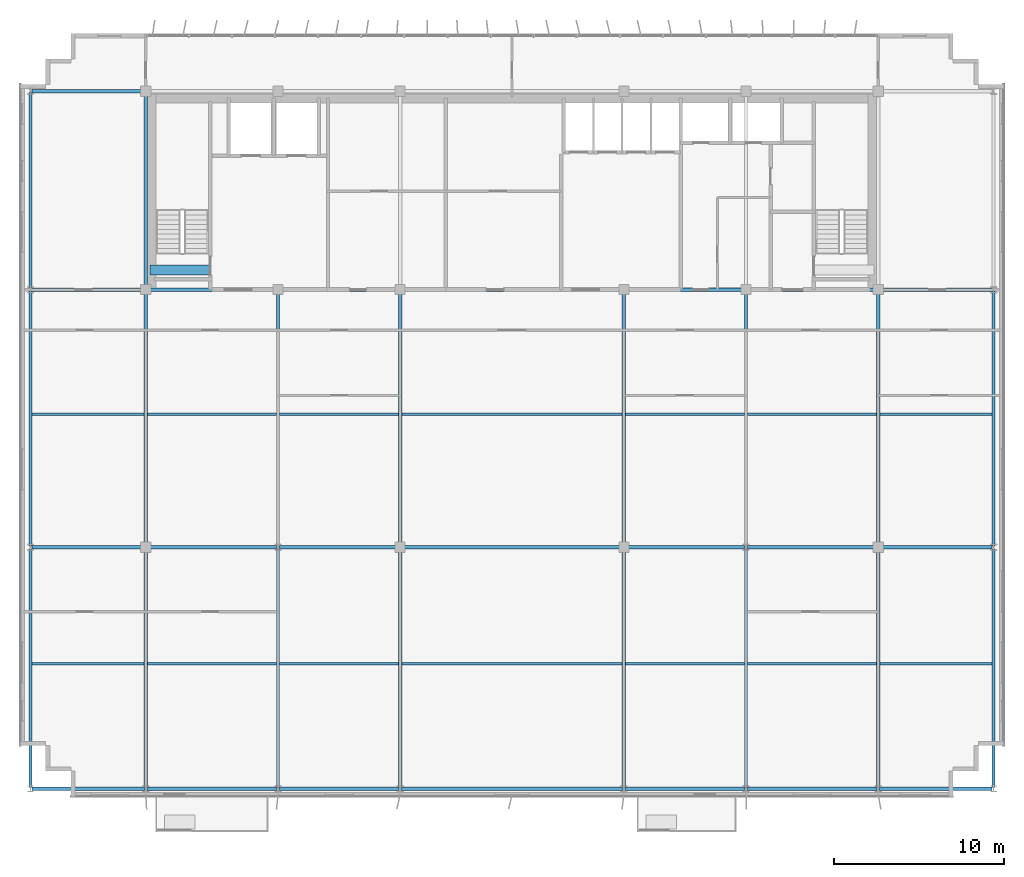
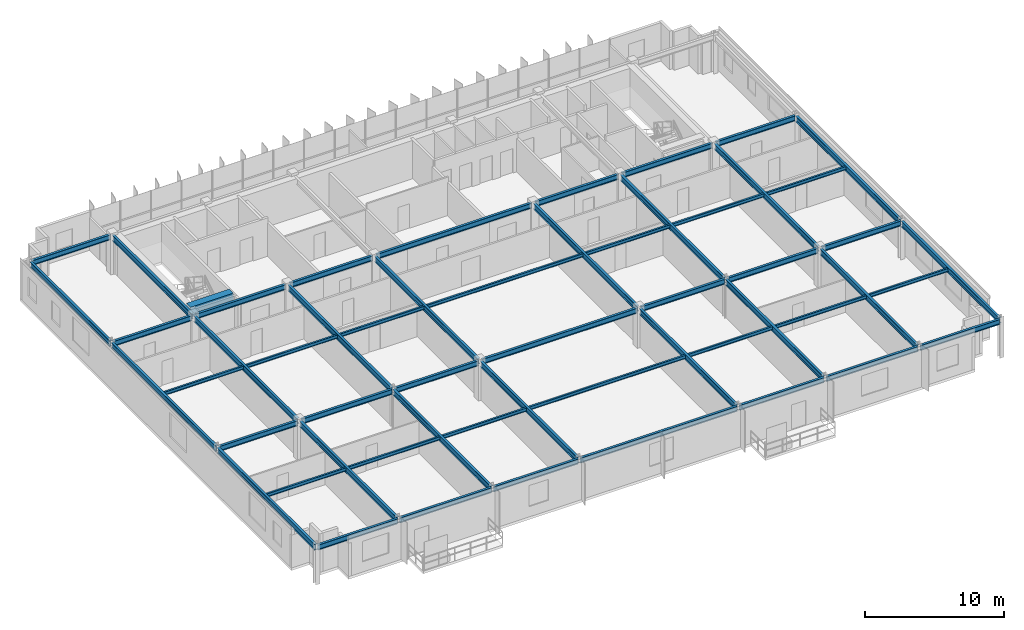
# One storey, part 5 of 21: 55 beams.
"""IFC4 building model written with IfcOpenShell, lengths in metres."""

from ifc_helpers import new_model, si_unit, direction, frame, origin, origin_2d, place, context, subcontext, project, spatial, rectangle, i_section, extrude, source, transform, mapped, material, material_profile, profile_set, type_object, element, save


model = new_model("IFC4")

# Units and contexts
model_context = context("Model", 3, precision=1e-05, world=origin(), true_north=direction((0.0, 1.0)))
body_context = subcontext(model_context, "Body", "Model", "MODEL_VIEW")
ifc_project = project(units=[si_unit("LENGTHUNIT", "METRE"), si_unit("AREAUNIT", "SQUARE_METRE"), si_unit("VOLUMEUNIT", "CUBIC_METRE"), si_unit("PLANEANGLEUNIT", "RADIAN"), si_unit("MASSUNIT", "GRAM", prefix="KILO")], contexts=[model_context])

# Site, building, storey
site_placement = place(None, origin())
site = spatial("IfcSite", under=ifc_project, at=site_placement, CompositionType="ELEMENT")
building_placement = place(site_placement, origin())
building = spatial("IfcBuilding", under=site, at=building_placement, Name="Trelvane Seafront Commons", CompositionType="ELEMENT")
storey_placement = place(building_placement, frame((0.0, 0.0, 252.300048828125)))
storey = spatial("IfcBuildingStorey", under=building, at=storey_placement, Name="L65", CompositionType="ELEMENT", Elevation=252.300048828125)

# Beams
ifc_material_1 = material(Name="Concrete C60/75", Category="concrete")
ifc_material_profile_1 = material_profile(ifc_material_1, rectangle(XDim=0.60009765625, YDim=0.89990234375, at=origin_2d()), Name="RC-600x900")
ifc_profile_set_1 = profile_set([ifc_material_profile_1], Name="Concrete C60/75")
beam_type_1 = type_object("IfcBeamType", Name="STR-LNT-RC600x900", PredefinedType="LINTEL", material=ifc_profile_set_1)
shared_shape_1 = source(origin(), body_context, "Body", "SweptSolid", [
    extrude(rectangle(XDim=0.60009765625, YDim=0.89990234375, at=origin_2d()), origin(), (0.0, 0.0, 1.0), 3.5498046875),
])
beam_1_placement = place(storey_placement, frame((15.85009765625, 34.550048828125, 2.919921875), z_axis=(1.0, 0.0, 0.0), x_axis=(0.0, 1.0, 0.0)))
element("IfcBeam", 1, at=beam_1_placement, inside=storey, type_object=beam_type_1, Name="L65 Core Coupling Lintel Beam CB-67", PredefinedType="LINTEL", context=body_context, shape_type="MappedRepresentation", body=[
    mapped(shared_shape_1, transform((0.0, 0.0, 0.0), x_axis=(1.0, 0.0, 0.0), y_axis=(0.0, 1.0, 0.0), z_axis=(0.0, 0.0, 1.0), scale=1.0)),
])
ifc_material_2 = material(Name="Steel SM355 (S355)", Category="steel")
ifc_material_profile_2 = material_profile(ifc_material_2, i_section(OverallWidth=0.199951171875, OverallDepth=0.5, WebThickness=0.010009765625, FlangeThickness=0.01611328125, at=origin_2d()), Name="H-500x200x10x16")
ifc_profile_set_2 = profile_set([ifc_material_profile_2], Name="Steel SM355 (S355)")
beam_type_2 = type_object("IfcBeamType", Name="STR-BM-H500", PredefinedType="BEAM", material=ifc_profile_set_2)
shared_shape_2 = source(origin(), body_context, "Body", "SweptSolid", [
    extrude(i_section(OverallWidth=0.199951171875, OverallDepth=0.5, WebThickness=0.010009765625, FlangeThickness=0.01611328125, at=origin_2d()), origin(), (0.0, 0.0, 1.0), 14.89990234375),
])
for number, where, z_axis, x_axis, name in (
    (2, (15.60009765625, 18.35009765625, 3.119873046875), (0.0, 1.0, 0.0), (-1.0, 0.0, 0.0), "L65 Primary Girder G-33"),
    (3, (30.60009765625, 18.35009765625, 3.119873046875), (0.0, 1.0, 0.0), (-1.0, 0.0, 0.0), "L65 Primary Girder G-39"),
    (4, (43.800048828125, 18.35009765625, 3.119873046875), (0.0, 1.0, 0.0), (-1.0, 0.0, 0.0), "L65 Primary Girder G-42"),
    (5, (58.800048828125, 18.35009765625, 3.119873046875), (0.0, 1.0, 0.0), (-1.0, 0.0, 0.0), "L65 Primary Girder G-48"),
):
    element("IfcBeam", number, at=place(storey_placement, frame(where, z_axis=z_axis, x_axis=x_axis)), inside=storey, type_object=beam_type_2, Name=name, PredefinedType="BEAM", context=body_context, shape_type="MappedRepresentation", body=[
        mapped(shared_shape_2, transform((0.0, 0.0, 0.0), x_axis=(1.0, 0.0, 0.0), y_axis=(0.0, 1.0, 0.0), z_axis=(0.0, 0.0, 1.0), scale=1.0)),
    ])
shared_shape_3 = source(origin(), body_context, "Body", "SweptSolid", [
    extrude(i_section(OverallWidth=0.199951171875, OverallDepth=0.5, WebThickness=0.010009765625, FlangeThickness=0.01611328125, at=origin_2d()), origin(), (0.0, 0.0, 1.0), 11.39990234375),
])
beam_2_placement = place(storey_placement, frame((15.60009765625, 33.550048828125, 3.119873046875), z_axis=(0.0, 1.0, 0.0), x_axis=(-1.0, 0.0, 0.0)))
element("IfcBeam", 6, at=beam_2_placement, inside=storey, type_object=beam_type_2, Name="L65 Primary Girder G-34", PredefinedType="BEAM", context=body_context, shape_type="MappedRepresentation", body=[
    mapped(shared_shape_3, transform((0.0, 0.0, 0.0), x_axis=(1.0, 0.0, 0.0), y_axis=(0.0, 1.0, 0.0), z_axis=(0.0, 0.0, 1.0), scale=1.0)),
])
ifc_material_profile_3 = material_profile(ifc_material_2, i_section(OverallWidth=0.199951171875, OverallDepth=0.449951171875, WebThickness=0.009033203125, FlangeThickness=0.013916015625, at=origin_2d()), Name="H-450x200x9x14")
ifc_profile_set_3 = profile_set([ifc_material_profile_3], Name="Steel SM355 (S355)")
beam_type_3 = type_object("IfcBeamType", Name="STR-SPD-H450", PredefinedType="SPANDREL", material=ifc_profile_set_3)
shared_shape_4 = source(origin(), body_context, "Body", "SweptSolid", [
    extrude(i_section(OverallWidth=0.199951171875, OverallDepth=0.449951171875, WebThickness=0.009033203125, FlangeThickness=0.013916015625, at=origin_2d()), origin(), (0.0, 0.0, 1.0), 6.625),
])
for number, where, z_axis, x_axis, name in (
    (7, (8.887451171875, 3.949951171875, 3.14501953125), (1.0, 0.0, 0.0), (0.0, 1.0, 0.0), "L65 Primary Girder G-01"),
    (8, (58.887451171875, 3.949951171875, 3.14501953125), (1.0, 0.0, 0.0), (0.0, 1.0, 0.0), "L65 Primary Girder G-07"),
):
    element("IfcBeam", number, at=place(storey_placement, frame(where, z_axis=z_axis, x_axis=x_axis)), inside=storey, type_object=beam_type_3, Name=name, PredefinedType="SPANDREL", context=body_context, shape_type="MappedRepresentation", body=[
        mapped(shared_shape_4, transform((0.0, 0.0, 0.0), x_axis=(1.0, 0.0, 0.0), y_axis=(0.0, 1.0, 0.0), z_axis=(0.0, 0.0, 1.0), scale=1.0)),
    ])
shared_shape_5 = source(origin(), body_context, "Body", "SweptSolid", [
    extrude(i_section(OverallWidth=0.199951171875, OverallDepth=0.449951171875, WebThickness=0.009033203125, FlangeThickness=0.013916015625, at=origin_2d()), origin(), (0.0, 0.0, 1.0), 7.625),
])
for number, where, z_axis, x_axis, name in (
    (9, (15.6875, 3.949951171875, 3.14501953125), (1.0, 0.0, 0.0), (0.0, 1.0, 0.0), "L65 Primary Girder G-02"),
    (10, (51.08740234375, 3.949951171875, 3.14501953125), (1.0, 0.0, 0.0), (0.0, 1.0, 0.0), "L65 Primary Girder G-06"),
):
    element("IfcBeam", number, at=place(storey_placement, frame(where, z_axis=z_axis, x_axis=x_axis)), inside=storey, type_object=beam_type_3, Name=name, PredefinedType="SPANDREL", context=body_context, shape_type="MappedRepresentation", body=[
        mapped(shared_shape_5, transform((0.0, 0.0, 0.0), x_axis=(1.0, 0.0, 0.0), y_axis=(0.0, 1.0, 0.0), z_axis=(0.0, 0.0, 1.0), scale=1.0)),
    ])
shared_shape_6 = source(origin(), body_context, "Body", "SweptSolid", [
    extrude(i_section(OverallWidth=0.199951171875, OverallDepth=0.449951171875, WebThickness=0.009033203125, FlangeThickness=0.013916015625, at=origin_2d()), origin(), (0.0, 0.0, 1.0), 7.02490234375),
])
beam_3_placement = place(storey_placement, frame((23.487548828125, 3.949951171875, 3.14501953125), z_axis=(1.0, 0.0, 0.0), x_axis=(0.0, 1.0, 0.0)))
element("IfcBeam", 11, at=beam_3_placement, inside=storey, type_object=beam_type_3, Name="L65 Primary Girder G-03", PredefinedType="SPANDREL", context=body_context, shape_type="MappedRepresentation", body=[
    mapped(shared_shape_6, transform((0.0, 0.0, 0.0), x_axis=(1.0, 0.0, 0.0), y_axis=(0.0, 1.0, 0.0), z_axis=(0.0, 0.0, 1.0), scale=1.0)),
])
shared_shape_7 = source(origin(), body_context, "Body", "SweptSolid", [
    extrude(i_section(OverallWidth=0.199951171875, OverallDepth=0.449951171875, WebThickness=0.009033203125, FlangeThickness=0.013916015625, at=origin_2d()), origin(), (0.0, 0.0, 1.0), 7.025146484375),
])
beam_4_placement = place(storey_placement, frame((43.887451171875, 3.949951171875, 3.14501953125), z_axis=(1.0, 0.0, 0.0), x_axis=(0.0, 1.0, 0.0)))
element("IfcBeam", 12, at=beam_4_placement, inside=storey, type_object=beam_type_3, Name="L65 Primary Girder G-05", PredefinedType="SPANDREL", context=body_context, shape_type="MappedRepresentation", body=[
    mapped(shared_shape_7, transform((0.0, 0.0, 0.0), x_axis=(1.0, 0.0, 0.0), y_axis=(0.0, 1.0, 0.0), z_axis=(0.0, 0.0, 1.0), scale=1.0)),
])
shared_shape_8 = source(origin(), body_context, "Body", "SweptSolid", [
    extrude(i_section(OverallWidth=0.199951171875, OverallDepth=0.449951171875, WebThickness=0.009033203125, FlangeThickness=0.013916015625, at=origin_2d()), origin(), (0.0, 0.0, 1.0), 6.5625),
])
for number, where, z_axis, x_axis, name in (
    (13, (8.887451171875, 18.199951171875, 3.14501953125), (1.0, 0.0, 0.0), (0.0, 1.0, 0.0), "L65 Primary Girder G-08"),
    (14, (58.949951171875, 18.199951171875, 3.14501953125), (1.0, 0.0, 0.0), (0.0, 1.0, 0.0), "L65 Primary Girder G-14"),
    (15, (8.887451171875, 33.39990234375, 3.14501953125), (1.0, 0.0, 0.0), (0.0, 1.0, 0.0), "L65 Primary Girder G-15"),
    (16, (58.949951171875, 33.39990234375, 3.14501953125), (1.0, 0.0, 0.0), (0.0, 1.0, 0.0), "L65 Primary Girder G-21"),
    (17, (8.887451171875, 45.10009765625, 3.14501953125), (1.0, 0.0, 0.0), (0.0, 1.0, 0.0), "L65 Primary Girder G-22"),
):
    element("IfcBeam", number, at=place(storey_placement, frame(where, z_axis=z_axis, x_axis=x_axis)), inside=storey, type_object=beam_type_3, Name=name, PredefinedType="SPANDREL", context=body_context, shape_type="MappedRepresentation", body=[
        mapped(shared_shape_8, transform((0.0, 0.0, 0.0), x_axis=(1.0, 0.0, 0.0), y_axis=(0.0, 1.0, 0.0), z_axis=(0.0, 0.0, 1.0), scale=1.0)),
    ])
shared_shape_9 = source(origin(), body_context, "Body", "SweptSolid", [
    extrude(i_section(OverallWidth=0.199951171875, OverallDepth=0.449951171875, WebThickness=0.009033203125, FlangeThickness=0.013916015625, at=origin_2d()), origin(), (0.0, 0.0, 1.0), 7.5625),
])
for number, where, z_axis, x_axis, name in (
    (18, (15.75, 18.199951171875, 3.14501953125), (1.0, 0.0, 0.0), (0.0, 1.0, 0.0), "L65 Primary Girder G-09"),
    (19, (51.08740234375, 18.199951171875, 3.14501953125), (1.0, 0.0, 0.0), (0.0, 1.0, 0.0), "L65 Primary Girder G-13"),
):
    element("IfcBeam", number, at=place(storey_placement, frame(where, z_axis=z_axis, x_axis=x_axis)), inside=storey, type_object=beam_type_3, Name=name, PredefinedType="SPANDREL", context=body_context, shape_type="MappedRepresentation", body=[
        mapped(shared_shape_9, transform((0.0, 0.0, 0.0), x_axis=(1.0, 0.0, 0.0), y_axis=(0.0, 1.0, 0.0), z_axis=(0.0, 0.0, 1.0), scale=1.0)),
    ])
shared_shape_10 = source(origin(), body_context, "Body", "SweptSolid", [
    extrude(i_section(OverallWidth=0.199951171875, OverallDepth=0.449951171875, WebThickness=0.009033203125, FlangeThickness=0.013916015625, at=origin_2d()), origin(), (0.0, 0.0, 1.0), 6.96240234375),
])
beam_5_placement = place(storey_placement, frame((23.487548828125, 18.199951171875, 3.14501953125), z_axis=(1.0, 0.0, 0.0), x_axis=(0.0, 1.0, 0.0)))
element("IfcBeam", 20, at=beam_5_placement, inside=storey, type_object=beam_type_3, Name="L65 Primary Girder G-10", PredefinedType="SPANDREL", context=body_context, shape_type="MappedRepresentation", body=[
    mapped(shared_shape_10, transform((0.0, 0.0, 0.0), x_axis=(1.0, 0.0, 0.0), y_axis=(0.0, 1.0, 0.0), z_axis=(0.0, 0.0, 1.0), scale=1.0)),
])
shared_shape_11 = source(origin(), body_context, "Body", "SweptSolid", [
    extrude(i_section(OverallWidth=0.199951171875, OverallDepth=0.449951171875, WebThickness=0.009033203125, FlangeThickness=0.013916015625, at=origin_2d()), origin(), (0.0, 0.0, 1.0), 6.962646484375),
])
beam_6_placement = place(storey_placement, frame((43.949951171875, 18.199951171875, 3.14501953125), z_axis=(1.0, 0.0, 0.0), x_axis=(0.0, 1.0, 0.0)))
element("IfcBeam", 21, at=beam_6_placement, inside=storey, type_object=beam_type_3, Name="L65 Primary Girder G-12", PredefinedType="SPANDREL", context=body_context, shape_type="MappedRepresentation", body=[
    mapped(shared_shape_11, transform((0.0, 0.0, 0.0), x_axis=(1.0, 0.0, 0.0), y_axis=(0.0, 1.0, 0.0), z_axis=(0.0, 0.0, 1.0), scale=1.0)),
])
shared_shape_12 = source(origin(), body_context, "Body", "SweptSolid", [
    extrude(i_section(OverallWidth=0.199951171875, OverallDepth=0.449951171875, WebThickness=0.009033203125, FlangeThickness=0.013916015625, at=origin_2d()), origin(), (0.0, 0.0, 1.0), 7.5),
])
for number, where, z_axis, x_axis, name in (
    (22, (15.75, 33.39990234375, 3.14501953125), (1.0, 0.0, 0.0), (0.0, 1.0, 0.0), "L65 Primary Girder G-16"),
    (23, (51.14990234375, 33.39990234375, 3.14501953125), (1.0, 0.0, 0.0), (0.0, 1.0, 0.0), "L65 Primary Girder G-20"),
):
    element("IfcBeam", number, at=place(storey_placement, frame(where, z_axis=z_axis, x_axis=x_axis)), inside=storey, type_object=beam_type_3, Name=name, PredefinedType="SPANDREL", context=body_context, shape_type="MappedRepresentation", body=[
        mapped(shared_shape_12, transform((0.0, 0.0, 0.0), x_axis=(1.0, 0.0, 0.0), y_axis=(0.0, 1.0, 0.0), z_axis=(0.0, 0.0, 1.0), scale=1.0)),
    ])
shared_shape_13 = source(origin(), body_context, "Body", "SweptSolid", [
    extrude(i_section(OverallWidth=0.199951171875, OverallDepth=0.449951171875, WebThickness=0.009033203125, FlangeThickness=0.013916015625, at=origin_2d()), origin(), (0.0, 0.0, 1.0), 6.89990234375),
])
beam_7_placement = place(storey_placement, frame((23.550048828125, 33.39990234375, 3.14501953125), z_axis=(1.0, 0.0, 0.0), x_axis=(0.0, 1.0, 0.0)))
element("IfcBeam", 24, at=beam_7_placement, inside=storey, type_object=beam_type_3, Name="L65 Primary Girder G-17", PredefinedType="SPANDREL", context=body_context, shape_type="MappedRepresentation", body=[
    mapped(shared_shape_13, transform((0.0, 0.0, 0.0), x_axis=(1.0, 0.0, 0.0), y_axis=(0.0, 1.0, 0.0), z_axis=(0.0, 0.0, 1.0), scale=1.0)),
])
shared_shape_14 = source(origin(), body_context, "Body", "SweptSolid", [
    extrude(i_section(OverallWidth=0.199951171875, OverallDepth=0.449951171875, WebThickness=0.009033203125, FlangeThickness=0.013916015625, at=origin_2d()), origin(), (0.0, 0.0, 1.0), 12.89990234375),
])
for number, where, z_axis, x_axis, name in (
    (25, (30.75, 18.199951171875, 3.14501953125), (1.0, 0.0, 0.0), (0.0, 1.0, 0.0), "L65 Primary Girder G-11"),
    (26, (30.75, 33.39990234375, 3.14501953125), (1.0, 0.0, 0.0), (0.0, 1.0, 0.0), "L65 Primary Girder G-18"),
):
    element("IfcBeam", number, at=place(storey_placement, frame(where, z_axis=z_axis, x_axis=x_axis)), inside=storey, type_object=beam_type_3, Name=name, PredefinedType="SPANDREL", context=body_context, shape_type="MappedRepresentation", body=[
        mapped(shared_shape_14, transform((0.0, 0.0, 0.0), x_axis=(1.0, 0.0, 0.0), y_axis=(0.0, 1.0, 0.0), z_axis=(0.0, 0.0, 1.0), scale=1.0)),
    ])
shared_shape_15 = source(origin(), body_context, "Body", "SweptSolid", [
    extrude(i_section(OverallWidth=0.199951171875, OverallDepth=0.449951171875, WebThickness=0.009033203125, FlangeThickness=0.013916015625, at=origin_2d()), origin(), (0.0, 0.0, 1.0), 6.900146484375),
])
beam_8_placement = place(storey_placement, frame((43.949951171875, 33.39990234375, 3.14501953125), z_axis=(1.0, 0.0, 0.0), x_axis=(0.0, 1.0, 0.0)))
element("IfcBeam", 27, at=beam_8_placement, inside=storey, type_object=beam_type_3, Name="L65 Primary Girder G-19", PredefinedType="SPANDREL", context=body_context, shape_type="MappedRepresentation", body=[
    mapped(shared_shape_15, transform((0.0, 0.0, 0.0), x_axis=(1.0, 0.0, 0.0), y_axis=(0.0, 1.0, 0.0), z_axis=(0.0, 0.0, 1.0), scale=1.0)),
])
shared_shape_16 = source(origin(), body_context, "Body", "SweptSolid", [
    extrude(i_section(OverallWidth=0.199951171875, OverallDepth=0.5, WebThickness=0.010009765625, FlangeThickness=0.01611328125, at=origin_2d()), origin(), (0.0, 0.0, 1.0), 14.074951171875),
])
for number, where, z_axis, x_axis, name in (
    (28, (8.800048828125, 4.03759765625, 3.119873046875), (0.0, 1.0, 0.0), (-1.0, 0.0, 0.0), "L65 Primary Girder G-29"),
    (29, (23.39990234375, 4.03759765625, 3.119873046875), (0.0, 1.0, 0.0), (-1.0, 0.0, 0.0), "L65 Primary Girder G-35"),
    (30, (51.0, 4.03759765625, 3.119873046875), (0.0, 1.0, 0.0), (-1.0, 0.0, 0.0), "L65 Primary Girder G-44"),
    (31, (65.60009765625, 4.03759765625, 3.119873046875), (0.0, 1.0, 0.0), (-1.0, 0.0, 0.0), "L65 Primary Girder G-50"),
):
    element("IfcBeam", number, at=place(storey_placement, frame(where, z_axis=z_axis, x_axis=x_axis)), inside=storey, type_object=beam_type_2, Name=name, PredefinedType="BEAM", context=body_context, shape_type="MappedRepresentation", body=[
        mapped(shared_shape_16, transform((0.0, 0.0, 0.0), x_axis=(1.0, 0.0, 0.0), y_axis=(0.0, 1.0, 0.0), z_axis=(0.0, 0.0, 1.0), scale=1.0)),
    ])
shared_shape_17 = source(origin(), body_context, "Body", "SweptSolid", [
    extrude(i_section(OverallWidth=0.199951171875, OverallDepth=0.5, WebThickness=0.010009765625, FlangeThickness=0.01611328125, at=origin_2d()), origin(), (0.0, 0.0, 1.0), 15.02490234375),
])
for number, where, z_axis, x_axis, name in (
    (32, (8.800048828125, 18.28759765625, 3.119873046875), (0.0, 1.0, 0.0), (-1.0, 0.0, 0.0), "L65 Primary Girder G-30"),
    (33, (65.60009765625, 18.28759765625, 3.119873046875), (0.0, 1.0, 0.0), (-1.0, 0.0, 0.0), "L65 Primary Girder G-51"),
):
    element("IfcBeam", number, at=place(storey_placement, frame(where, z_axis=z_axis, x_axis=x_axis)), inside=storey, type_object=beam_type_2, Name=name, PredefinedType="BEAM", context=body_context, shape_type="MappedRepresentation", body=[
        mapped(shared_shape_17, transform((0.0, 0.0, 0.0), x_axis=(1.0, 0.0, 0.0), y_axis=(0.0, 1.0, 0.0), z_axis=(0.0, 0.0, 1.0), scale=1.0)),
    ])
shared_shape_18 = source(origin(), body_context, "Body", "SweptSolid", [
    extrude(i_section(OverallWidth=0.199951171875, OverallDepth=0.5, WebThickness=0.010009765625, FlangeThickness=0.01611328125, at=origin_2d()), origin(), (0.0, 0.0, 1.0), 11.52490234375),
])
beam_9_placement = place(storey_placement, frame((8.800048828125, 33.487548828125, 3.119873046875), z_axis=(0.0, 1.0, 0.0), x_axis=(-1.0, 0.0, 0.0)))
element("IfcBeam", 34, at=beam_9_placement, inside=storey, type_object=beam_type_2, Name="L65 Primary Girder G-31", PredefinedType="BEAM", context=body_context, shape_type="MappedRepresentation", body=[
    mapped(shared_shape_18, transform((0.0, 0.0, 0.0), x_axis=(1.0, 0.0, 0.0), y_axis=(0.0, 1.0, 0.0), z_axis=(0.0, 0.0, 1.0), scale=1.0)),
])
shared_shape_19 = source(origin(), body_context, "Body", "SweptSolid", [
    extrude(i_section(OverallWidth=0.199951171875, OverallDepth=0.5, WebThickness=0.010009765625, FlangeThickness=0.01611328125, at=origin_2d()), origin(), (0.0, 0.0, 1.0), 14.012451171875),
])
for number, where, z_axis, x_axis, name in (
    (35, (15.60009765625, 4.03759765625, 3.119873046875), (0.0, 1.0, 0.0), (-1.0, 0.0, 0.0), "L65 Primary Girder G-32"),
    (36, (30.60009765625, 4.03759765625, 3.119873046875), (0.0, 1.0, 0.0), (-1.0, 0.0, 0.0), "L65 Primary Girder G-38"),
    (37, (43.800048828125, 4.03759765625, 3.119873046875), (0.0, 1.0, 0.0), (-1.0, 0.0, 0.0), "L65 Primary Girder G-41"),
    (38, (58.800048828125, 4.03759765625, 3.119873046875), (0.0, 1.0, 0.0), (-1.0, 0.0, 0.0), "L65 Primary Girder G-47"),
):
    element("IfcBeam", number, at=place(storey_placement, frame(where, z_axis=z_axis, x_axis=x_axis)), inside=storey, type_object=beam_type_2, Name=name, PredefinedType="BEAM", context=body_context, shape_type="MappedRepresentation", body=[
        mapped(shared_shape_19, transform((0.0, 0.0, 0.0), x_axis=(1.0, 0.0, 0.0), y_axis=(0.0, 1.0, 0.0), z_axis=(0.0, 0.0, 1.0), scale=1.0)),
    ])
shared_shape_20 = source(origin(), body_context, "Body", "SweptSolid", [
    extrude(i_section(OverallWidth=0.199951171875, OverallDepth=0.5, WebThickness=0.010009765625, FlangeThickness=0.01611328125, at=origin_2d()), origin(), (0.0, 0.0, 1.0), 14.96240234375),
])
for number, where, z_axis, x_axis, name in (
    (39, (23.39990234375, 18.28759765625, 3.119873046875), (0.0, 1.0, 0.0), (-1.0, 0.0, 0.0), "L65 Primary Girder G-36"),
    (40, (51.0, 18.28759765625, 3.119873046875), (0.0, 1.0, 0.0), (-1.0, 0.0, 0.0), "L65 Primary Girder G-45"),
):
    element("IfcBeam", number, at=place(storey_placement, frame(where, z_axis=z_axis, x_axis=x_axis)), inside=storey, type_object=beam_type_2, Name=name, PredefinedType="BEAM", context=body_context, shape_type="MappedRepresentation", body=[
        mapped(shared_shape_20, transform((0.0, 0.0, 0.0), x_axis=(1.0, 0.0, 0.0), y_axis=(0.0, 1.0, 0.0), z_axis=(0.0, 0.0, 1.0), scale=1.0)),
    ])
ifc_material_profile_4 = material_profile(ifc_material_2, i_section(OverallWidth=0.14990234375, OverallDepth=0.300048828125, WebThickness=0.006591796875, FlangeThickness=0.009033203125, at=origin_2d()), Name="H-300x150x6.5x9")
ifc_profile_set_4 = profile_set([ifc_material_profile_4], Name="Steel SM355 (S355)")
beam_type_4 = type_object("IfcBeamType", Name="STR-JST-H300", PredefinedType="JOIST", material=ifc_profile_set_4)
shared_shape_21 = source(origin(), body_context, "Body", "SweptSolid", [
    extrude(i_section(OverallWidth=0.14990234375, OverallDepth=0.300048828125, WebThickness=0.006591796875, FlangeThickness=0.009033203125, at=origin_2d()), origin(), (0.0, 0.0, 1.0), 6.60009765625),
])
for number, where, z_axis, x_axis, name in (
    (41, (8.89990234375, 11.324951171875, 3.219970703125), (1.0, 0.0, 0.0), (0.0, 1.0, 0.0), "L65 Secondary Floor Joist B-53"),
    (42, (58.89990234375, 11.324951171875, 3.219970703125), (1.0, 0.0, 0.0), (0.0, 1.0, 0.0), "L65 Secondary Floor Joist B-59"),
    (43, (8.89990234375, 26.050048828125, 3.219970703125), (1.0, 0.0, 0.0), (0.0, 1.0, 0.0), "L65 Secondary Floor Joist B-60"),
    (44, (58.89990234375, 26.050048828125, 3.219970703125), (1.0, 0.0, 0.0), (0.0, 1.0, 0.0), "L65 Secondary Floor Joist B-66"),
):
    element("IfcBeam", number, at=place(storey_placement, frame(where, z_axis=z_axis, x_axis=x_axis)), inside=storey, type_object=beam_type_4, Name=name, PredefinedType="JOIST", context=body_context, shape_type="MappedRepresentation", body=[
        mapped(shared_shape_21, transform((0.0, 0.0, 0.0), x_axis=(1.0, 0.0, 0.0), y_axis=(0.0, 1.0, 0.0), z_axis=(0.0, 0.0, 1.0), scale=1.0)),
    ])
shared_shape_22 = source(origin(), body_context, "Body", "SweptSolid", [
    extrude(i_section(OverallWidth=0.14990234375, OverallDepth=0.300048828125, WebThickness=0.006591796875, FlangeThickness=0.009033203125, at=origin_2d()), origin(), (0.0, 0.0, 1.0), 7.60009765625),
])
for number, where, z_axis, x_axis, name in (
    (45, (15.699951171875, 11.324951171875, 3.219970703125), (1.0, 0.0, 0.0), (0.0, 1.0, 0.0), "L65 Secondary Floor Joist B-54"),
    (46, (15.699951171875, 26.050048828125, 3.219970703125), (1.0, 0.0, 0.0), (0.0, 1.0, 0.0), "L65 Secondary Floor Joist B-61"),
):
    element("IfcBeam", number, at=place(storey_placement, frame(where, z_axis=z_axis, x_axis=x_axis)), inside=storey, type_object=beam_type_4, Name=name, PredefinedType="JOIST", context=body_context, shape_type="MappedRepresentation", body=[
        mapped(shared_shape_22, transform((0.0, 0.0, 0.0), x_axis=(1.0, 0.0, 0.0), y_axis=(0.0, 1.0, 0.0), z_axis=(0.0, 0.0, 1.0), scale=1.0)),
    ])
shared_shape_23 = source(origin(), body_context, "Body", "SweptSolid", [
    extrude(i_section(OverallWidth=0.14990234375, OverallDepth=0.300048828125, WebThickness=0.006591796875, FlangeThickness=0.009033203125, at=origin_2d()), origin(), (0.0, 0.0, 1.0), 7.0),
])
for number, where, z_axis, x_axis, name in (
    (47, (23.5, 11.324951171875, 3.219970703125), (1.0, 0.0, 0.0), (0.0, 1.0, 0.0), "L65 Secondary Floor Joist B-55"),
    (48, (43.89990234375, 11.324951171875, 3.219970703125), (1.0, 0.0, 0.0), (0.0, 1.0, 0.0), "L65 Secondary Floor Joist B-57"),
    (49, (23.5, 26.050048828125, 3.219970703125), (1.0, 0.0, 0.0), (0.0, 1.0, 0.0), "L65 Secondary Floor Joist B-62"),
    (50, (43.89990234375, 26.050048828125, 3.219970703125), (1.0, 0.0, 0.0), (0.0, 1.0, 0.0), "L65 Secondary Floor Joist B-64"),
):
    element("IfcBeam", number, at=place(storey_placement, frame(where, z_axis=z_axis, x_axis=x_axis)), inside=storey, type_object=beam_type_4, Name=name, PredefinedType="JOIST", context=body_context, shape_type="MappedRepresentation", body=[
        mapped(shared_shape_23, transform((0.0, 0.0, 0.0), x_axis=(1.0, 0.0, 0.0), y_axis=(0.0, 1.0, 0.0), z_axis=(0.0, 0.0, 1.0), scale=1.0)),
    ])
shared_shape_24 = source(origin(), body_context, "Body", "SweptSolid", [
    extrude(i_section(OverallWidth=0.14990234375, OverallDepth=0.300048828125, WebThickness=0.006591796875, FlangeThickness=0.009033203125, at=origin_2d()), origin(), (0.0, 0.0, 1.0), 7.599853515625),
])
for number, where, z_axis, x_axis, name in (
    (51, (51.10009765625, 11.324951171875, 3.219970703125), (1.0, 0.0, 0.0), (0.0, 1.0, 0.0), "L65 Secondary Floor Joist B-58"),
    (52, (51.10009765625, 26.050048828125, 3.219970703125), (1.0, 0.0, 0.0), (0.0, 1.0, 0.0), "L65 Secondary Floor Joist B-65"),
):
    element("IfcBeam", number, at=place(storey_placement, frame(where, z_axis=z_axis, x_axis=x_axis)), inside=storey, type_object=beam_type_4, Name=name, PredefinedType="JOIST", context=body_context, shape_type="MappedRepresentation", body=[
        mapped(shared_shape_24, transform((0.0, 0.0, 0.0), x_axis=(1.0, 0.0, 0.0), y_axis=(0.0, 1.0, 0.0), z_axis=(0.0, 0.0, 1.0), scale=1.0)),
    ])
shared_shape_25 = source(origin(), body_context, "Body", "SweptSolid", [
    extrude(i_section(OverallWidth=0.14990234375, OverallDepth=0.300048828125, WebThickness=0.006591796875, FlangeThickness=0.009033203125, at=origin_2d()), origin(), (0.0, 0.0, 1.0), 13.0),
])
for number, where, z_axis, x_axis, name in (
    (53, (30.699951171875, 11.324951171875, 3.219970703125), (1.0, 0.0, 0.0), (0.0, 1.0, 0.0), "L65 Secondary Floor Joist B-56"),
    (54, (30.699951171875, 26.050048828125, 3.219970703125), (1.0, 0.0, 0.0), (0.0, 1.0, 0.0), "L65 Secondary Floor Joist B-63"),
):
    element("IfcBeam", number, at=place(storey_placement, frame(where, z_axis=z_axis, x_axis=x_axis)), inside=storey, type_object=beam_type_4, Name=name, PredefinedType="JOIST", context=body_context, shape_type="MappedRepresentation", body=[
        mapped(shared_shape_25, transform((0.0, 0.0, 0.0), x_axis=(1.0, 0.0, 0.0), y_axis=(0.0, 1.0, 0.0), z_axis=(0.0, 0.0, 1.0), scale=1.0)),
    ])
shared_shape_26 = source(origin(), body_context, "Body", "SweptSolid", [
    extrude(i_section(OverallWidth=0.199951171875, OverallDepth=0.449951171875, WebThickness=0.009033203125, FlangeThickness=0.013916015625, at=origin_2d()), origin(), (0.0, 0.0, 1.0), 13.02490234375),
])
beam_10_placement = place(storey_placement, frame((30.6875, 3.949951171875, 3.14501953125), z_axis=(1.0, 0.0, 0.0), x_axis=(0.0, 1.0, 0.0)))
element("IfcBeam", 55, at=beam_10_placement, inside=storey, type_object=beam_type_3, Name="L65 Primary Girder G-04", PredefinedType="SPANDREL", context=body_context, shape_type="MappedRepresentation", body=[
    mapped(shared_shape_26, transform((0.0, 0.0, 0.0), x_axis=(1.0, 0.0, 0.0), y_axis=(0.0, 1.0, 0.0), z_axis=(0.0, 0.0, 1.0), scale=1.0)),
])

save(model, "model.ifc")
